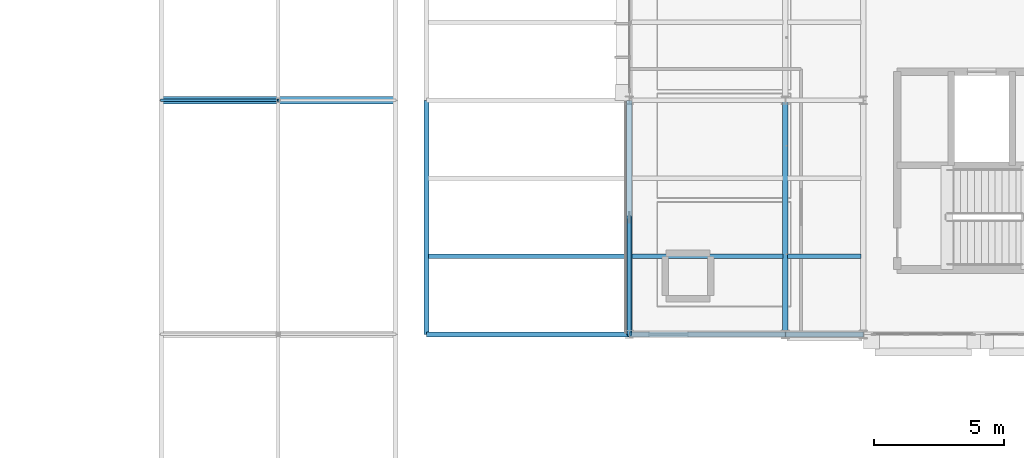
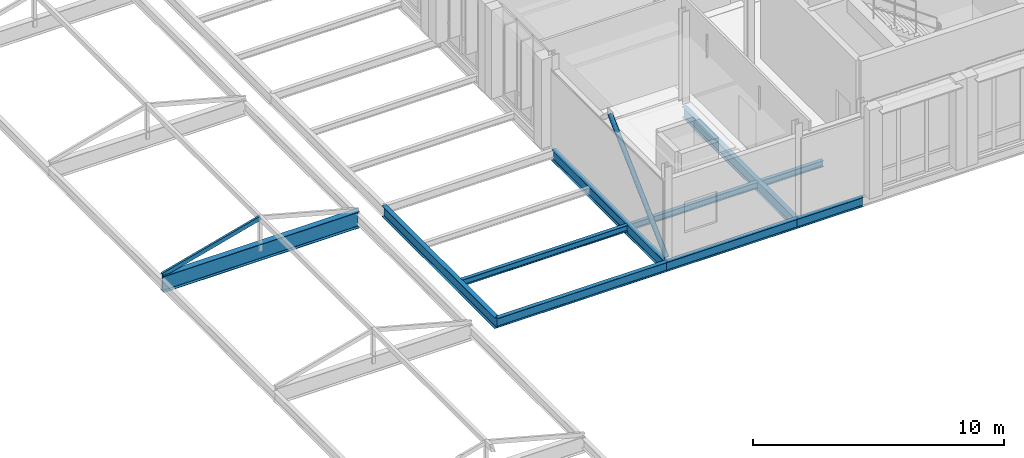
# One storey, part 46 of 140: 10 beams, 2 members.
"""IFC4 building model written with IfcOpenShell, lengths in metres."""

from ifc_helpers import new_model, si_unit, direction, frame, origin, origin_2d, place, context, subcontext, project, spatial, hollow_rectangle, hollow_circle, i_section, extrude, material, material_profile, profile_set, type_object, element, save


model = new_model("IFC4")

# Units and contexts
model_context = context("Model", 3, precision=1e-05, world=origin(), true_north=direction((0.0, 1.0)))
body_context = subcontext(model_context, "Body", "Model", "MODEL_VIEW")
ifc_project = project(units=[si_unit("LENGTHUNIT", "METRE"), si_unit("AREAUNIT", "SQUARE_METRE"), si_unit("VOLUMEUNIT", "CUBIC_METRE"), si_unit("PLANEANGLEUNIT", "RADIAN"), si_unit("MASSUNIT", "GRAM", prefix="KILO"), si_unit("THERMODYNAMICTEMPERATUREUNIT", "KELVIN"), si_unit("POWERUNIT", "WATT")], contexts=[model_context])

# Site, building, storey
site_placement = place(None, origin())
site = spatial("IfcSite", under=ifc_project, at=site_placement, CompositionType="ELEMENT")
building_placement = place(site_placement, origin())
building = spatial("IfcBuilding", under=site, at=building_placement, Name="Tallowbark Science Centre", CompositionType="ELEMENT")
storey_placement = place(building_placement, frame((0.0, 0.0, 9.89990234375)))
storey = spatial("IfcBuildingStorey", under=building, at=storey_placement, Name="L02", CompositionType="ELEMENT", Elevation=9.89990234375)

# Beams
ifc_material_1 = material(Name="Structural Steel Grade 300PLUS (300 MPa)", Category="steel")
ifc_material_profile_1 = material_profile(ifc_material_1, i_section(OverallWidth=0.208740234375, OverallDepth=0.5283203125, WebThickness=0.009521484375, FlangeThickness=0.01318359375, FilletRadius=0.013916015625, at=origin_2d()), Name="530UB82.0")
ifc_profile_set_1 = profile_set([ifc_material_profile_1], Name="Structural Steel Grade 300PLUS (300 MPa)")
beam_type_1 = type_object("IfcBeamType", Name="BM-UB530B", PredefinedType="BEAM", material=ifc_profile_set_1)
for number, where, z_axis, x_axis, name in (
    (1, (55.199951171875, 72.0, -0.444091796875), (0.0, 1.0, 0.0), (-1.0, 0.0, 0.0), "Primary Girder GRDY-L02-552-720-810"),
    (2, (63.0, 72.0, -0.444091796875), (0.0, 1.0, 0.0), (-1.0, 0.0, 0.0), "Primary Girder GRDY-L02-630-720-810"),
    (3, (69.0, 72.0, -0.444091796875), (0.0, 1.0, 0.0), (-1.0, 0.0, 0.0), "Primary Girder GRDY-L02-690-720-810"),
):
    element("IfcBeam", number, at=place(storey_placement, frame(where, z_axis=z_axis, x_axis=x_axis)), inside=storey, type_object=beam_type_1, Name=name, PredefinedType="BEAM", context=body_context, shape_type="SweptSolid", body=[
        extrude(i_section(OverallWidth=0.208740234375, OverallDepth=0.5283203125, WebThickness=0.009521484375, FlangeThickness=0.01318359375, FilletRadius=0.013916015625, at=origin_2d()), origin(), (0.0, 0.0, 1.0), 9.0),
    ])
ifc_material_profile_2 = material_profile(ifc_material_1, i_section(OverallWidth=0.27490234375, OverallDepth=0.7919921875, WebThickness=0.011962890625, FlangeThickness=0.02001953125, FilletRadius=0.013916015625, at=origin_2d()), Name="800WB146")
ifc_profile_set_2 = profile_set([ifc_material_profile_2], Name="Structural Steel Grade 300PLUS (300 MPa)")
beam_type_2 = type_object("IfcBeamType", Name="BM-WB800", PredefinedType="BEAM", material=ifc_profile_set_2)
beam_1_placement = place(storey_placement, frame((45.0, 81.0, -0.39990234375), z_axis=(1.0, 0.0, 0.0), x_axis=(0.0, 1.0, 0.0)))
element("IfcBeam", 4, at=beam_1_placement, inside=storey, type_object=beam_type_2, Name="Passage Skylight Tie Beam 10", PredefinedType="BEAM", context=body_context, shape_type="SweptSolid", body=[
    extrude(i_section(OverallWidth=0.27490234375, OverallDepth=0.7919921875, WebThickness=0.011962890625, FlangeThickness=0.02001953125, FilletRadius=0.013916015625, at=origin_2d()), origin(), (0.0, 0.0, 1.0), 9.0),
])

# Member
ifc_material_2 = material(Name="Structural Steel Grade C350L0 (350 MPa)", Category="steel")
ifc_material_profile_3 = material_profile(ifc_material_2, hollow_circle(Radius=0.109619140625, WallThickness=0.00830078125, at=origin_2d()), Name="219.1x8.2CHS")
ifc_profile_set_3 = profile_set([ifc_material_profile_3], Name="Structural Steel Grade C350L0 (350 MPa)")
member_type_1 = type_object("IfcMemberType", Name="CBF-219CHS", PredefinedType="BRACE", material=ifc_profile_set_3)
member_1_placement = place(storey_placement, frame((63.0, 72.0, 0.0), z_axis=(0.0, 0.72701315255, 0.686623532964), x_axis=(-1.0, 0.0, 0.0)))
element("IfcMember", 5, at=member_1_placement, inside=storey, type_object=member_type_1, Name="Concentric Chevron Brace CBF-LAB-W1M L02 Left", PredefinedType="BRACE", context=body_context, shape_type="SweptSolid", body=[
    extrude(hollow_circle(Radius=0.109619140625, WallThickness=0.00830078125, at=origin_2d()), origin(), (0.0, 0.0, 1.0), 6.189697265625),
])

# Beams
ifc_material_profile_4 = material_profile(ifc_material_1, i_section(OverallWidth=0.166015625, OverallDepth=0.30712890625, WebThickness=0.006591796875, FlangeThickness=0.01171875, FilletRadius=0.011474609375, at=origin_2d()), Name="310UB46.2")
ifc_profile_set_4 = profile_set([ifc_material_profile_4], Name="Structural Steel Grade 300PLUS (300 MPa)")
beam_type_3 = type_object("IfcBeamType", Name="JST-UB310", PredefinedType="JOIST", material=ifc_profile_set_4)
beam_2_placement = place(storey_placement, frame((55.284912109375, 75.0, -0.33349609375), z_axis=(1.0, 0.0, 0.0), x_axis=(0.0, 1.0, 0.0)))
element("IfcBeam", 6, at=beam_2_placement, inside=storey, type_object=beam_type_3, Name="Composite Floor Joist JSTX-L02-552-750", PredefinedType="JOIST", context=body_context, shape_type="SweptSolid", body=[
    extrude(i_section(OverallWidth=0.166015625, OverallDepth=0.30712890625, WebThickness=0.006591796875, FlangeThickness=0.01171875, FilletRadius=0.011474609375, at=origin_2d()), origin(), (0.0, 0.0, 1.0), 7.630126953125),
])
beam_3_placement = place(storey_placement, frame((63.0849609375, 75.0, -0.33349609375), z_axis=(1.0, 0.0, 0.0), x_axis=(0.0, 1.0, 0.0)))
element("IfcBeam", 7, at=beam_3_placement, inside=storey, type_object=beam_type_3, Name="Composite Floor Joist JSTX-L02-630-750", PredefinedType="JOIST", context=body_context, shape_type="SweptSolid", body=[
    extrude(i_section(OverallWidth=0.166015625, OverallDepth=0.30712890625, WebThickness=0.006591796875, FlangeThickness=0.01171875, FilletRadius=0.011474609375, at=origin_2d()), origin(), (0.0, 0.0, 1.0), 5.830078125),
])
beam_4_placement = place(storey_placement, frame((69.0849609375, 75.0, -0.33349609375), z_axis=(1.0, 0.0, 0.0), x_axis=(0.0, 1.0, 0.0)))
element("IfcBeam", 8, at=beam_4_placement, inside=storey, type_object=beam_type_3, Name="Composite Floor Joist JSTX-L02-690-750", PredefinedType="JOIST", context=body_context, shape_type="SweptSolid", body=[
    extrude(i_section(OverallWidth=0.166015625, OverallDepth=0.30712890625, WebThickness=0.006591796875, FlangeThickness=0.01171875, FilletRadius=0.011474609375, at=origin_2d()), origin(), (0.0, 0.0, 1.0), 2.830078125),
])

# Member
ifc_material_profile_5 = material_profile(ifc_material_2, hollow_rectangle(XDim=0.10009765625, YDim=0.199951171875, WallThickness=0.006103515625, at=origin_2d()), Name="200x100x6.0RHS")
ifc_profile_set_5 = profile_set([ifc_material_profile_5], Name="Structural Steel Grade C350L0 (350 MPa)")
member_type_2 = type_object("IfcMemberType", Name="RFT-200RHS", PredefinedType="RAFTER", material=ifc_profile_set_5)
member_2_placement = place(storey_placement, frame((45.0, 81.0, 0.0), z_axis=(0.965923723713, 0.0, 0.258826891896), x_axis=(0.0, 1.0, 0.0)))
element("IfcMember", 9, at=member_2_placement, inside=storey, type_object=member_type_2, Name="Passage Skylight West Rafter 10", PredefinedType="RAFTER", context=body_context, shape_type="SweptSolid", body=[
    extrude(hollow_rectangle(XDim=0.10009765625, YDim=0.199951171875, WallThickness=0.006103515625, at=origin_2d()), origin(), (0.0, 0.0, 1.0), 4.65869140625),
])

# Beams
ifc_material_profile_6 = material_profile(ifc_material_1, i_section(OverallWidth=0.18994140625, OverallDepth=0.453857421875, WebThickness=0.008544921875, FlangeThickness=0.0126953125, FilletRadius=0.011474609375, at=origin_2d()), Name="460UB67.1")
ifc_profile_set_6 = profile_set([ifc_material_profile_6], Name="Structural Steel Grade 300PLUS (300 MPa)")
beam_type_4 = type_object("IfcBeamType", Name="SPN-UB460", PredefinedType="SPANDREL", material=ifc_profile_set_6)
beam_5_placement = place(storey_placement, frame((55.199951171875, 72.0, -0.40673828125), z_axis=(1.0, 0.0, 0.0), x_axis=(0.0, 1.0, 0.0)))
element("IfcBeam", 10, at=beam_5_placement, inside=storey, type_object=beam_type_4, Name="Primary Girder GRDX-L02-552-630-720", PredefinedType="SPANDREL", context=body_context, shape_type="SweptSolid", body=[
    extrude(i_section(OverallWidth=0.18994140625, OverallDepth=0.453857421875, WebThickness=0.008544921875, FlangeThickness=0.0126953125, FilletRadius=0.011474609375, at=origin_2d()), origin(), (0.0, 0.0, 1.0), 7.800048828125),
])
beam_6_placement = place(storey_placement, frame((63.0, 72.0, -0.40673828125), z_axis=(1.0, 0.0, 0.0), x_axis=(0.0, 1.0, 0.0)))
element("IfcBeam", 11, at=beam_6_placement, inside=storey, type_object=beam_type_4, Name="Primary Girder GRDX-L02-630-690-720", PredefinedType="SPANDREL", context=body_context, shape_type="SweptSolid", body=[
    extrude(i_section(OverallWidth=0.18994140625, OverallDepth=0.453857421875, WebThickness=0.008544921875, FlangeThickness=0.0126953125, FilletRadius=0.011474609375, at=origin_2d()), origin(), (0.0, 0.0, 1.0), 6.0),
])
beam_7_placement = place(storey_placement, frame((69.0, 72.0, -0.40673828125), z_axis=(1.0, 0.0, 0.0), x_axis=(0.0, 1.0, 0.0)))
element("IfcBeam", 12, at=beam_7_placement, inside=storey, type_object=beam_type_4, Name="Primary Girder GRDX-L02-690-720-720", PredefinedType="SPANDREL", context=body_context, shape_type="SweptSolid", body=[
    extrude(i_section(OverallWidth=0.18994140625, OverallDepth=0.453857421875, WebThickness=0.008544921875, FlangeThickness=0.0126953125, FilletRadius=0.011474609375, at=origin_2d()), origin(), (0.0, 0.0, 1.0), 3.0),
])

save(model, "model.ifc")
